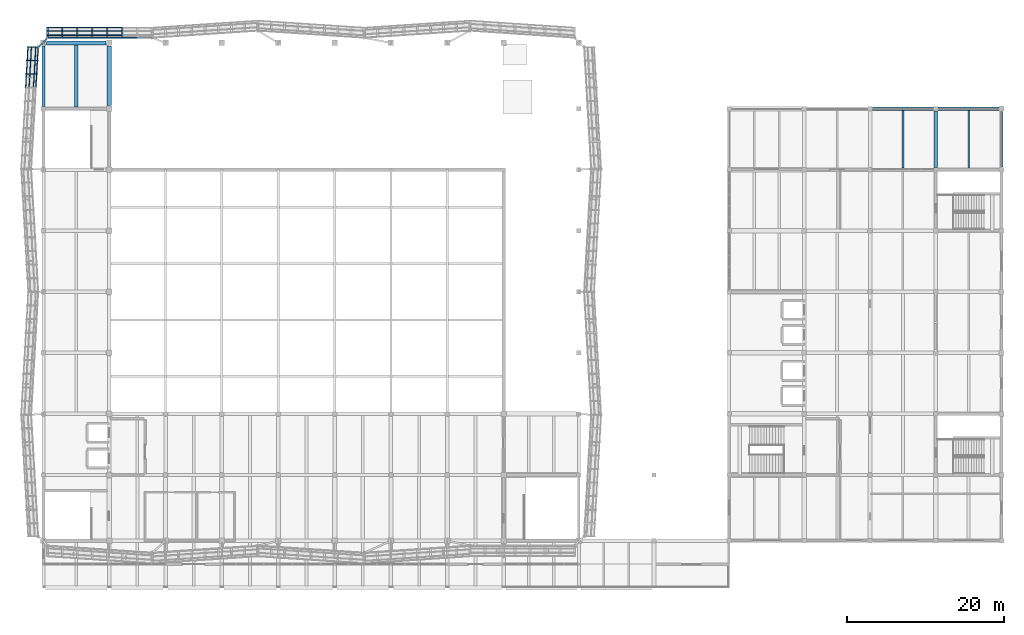
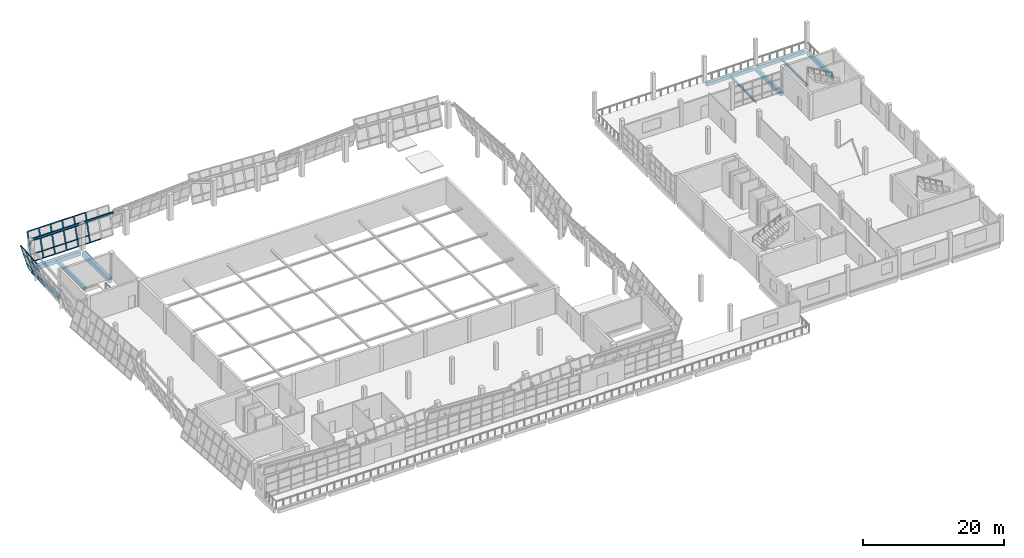
# One storey, part 29 of 67: 42 members, 13 beams, 2 elements without a shape of their own.
"""IFC4 building model written with IfcOpenShell, lengths in metres."""

from ifc_helpers import new_model, si_unit, direction, frame, origin, origin_2d, place, context, subcontext, project, spatial, rectangle, hollow_rectangle, i_section, extrude, material, material_profile, profile_set, type_object, element, aggregate, save


model = new_model("IFC4")

# Units and contexts
model_context = context("Model", 3, precision=1e-05, world=origin(), true_north=direction((0.0, 1.0)))
body_context = subcontext(model_context, "Body", "Model", "MODEL_VIEW")
ifc_project = project(units=[si_unit("LENGTHUNIT", "METRE"), si_unit("AREAUNIT", "SQUARE_METRE"), si_unit("VOLUMEUNIT", "CUBIC_METRE"), si_unit("PLANEANGLEUNIT", "RADIAN"), si_unit("MASSUNIT", "GRAM", prefix="KILO")], contexts=[model_context])

# Site, building, storey
site_placement = place(None, origin())
site = spatial("IfcSite", under=ifc_project, at=site_placement, CompositionType="ELEMENT")
building_placement = place(site_placement, origin())
building = spatial("IfcBuilding", under=site, at=building_placement, Name="Pellamere Symphony Hall", CompositionType="ELEMENT")
storey_placement = place(building_placement, frame((0.0, 0.0, 19.5)))
storey = spatial("IfcBuildingStorey", under=building, at=storey_placement, Name="L04", CompositionType="ELEMENT", Elevation=19.5)

# Curtain wall, members
ifc_material_1 = material(Name="Thermally Broken Anodised Aluminium 6063-T6 Curtain Wall", Category="aluminium")
curtain_wall_type = type_object("IfcCurtainWallType", Name="Curtain Wall CW-01 (Tilted Faceted Crystal Low-Iron Curtain Wall)", PredefinedType="NOTDEFINED", material=ifc_material_1)
curtain_wall_1_placement = place(storey_placement, origin())
curtain_wall_1 = element("IfcCurtainWall", 1, at=curtain_wall_1_placement, inside=storey, type_object=curtain_wall_type, Name="Crystal Faceted Curtain Wall CW-CR14 (L04)", PredefinedType="NOTDEFINED")
ifc_material_2 = material(Name="Anodised Architectural Aluminium 6063-T6", Category="aluminium")
ifc_material_profile_1 = material_profile(ifc_material_2, hollow_rectangle(XDim=0.074951171875, YDim=0.219970703125, WallThickness=0.0048828125, at=origin_2d()), Name="ALU-M75X220X5")
ifc_profile_set_1 = profile_set([ifc_material_profile_1], Name="Anodised Architectural Aluminium 6063-T6")
member_type_1 = type_object("IfcMemberType", Name="Curtain Wall Mullion ML-01 ALU-M75X220X5", PredefinedType="MULLION", material=ifc_profile_set_1)
member_1_placement = place(storey_placement, frame((60.471435546875, 94.25, 0.0), z_axis=(0.0, 0.284024567884, 0.95881700279), x_axis=(0.0, 0.95881700279, -0.284024567884)))
member_1 = element("IfcMember", 2, at=member_1_placement, type_object=member_type_1, Name="CW1-036 crystal mullion 3", PredefinedType="MULLION", context=body_context, shape_type="SweptSolid", body=[
    extrude(hollow_rectangle(XDim=0.074951171875, YDim=0.219970703125, WallThickness=0.0048828125, at=origin_2d()), origin(), (0.0, 0.0, 1.0), 4.693359375),
])
member_2_placement = place(storey_placement, frame((58.55712890625, 94.25, 0.0), z_axis=(0.0, 0.284024567884, 0.95881700279), x_axis=(0.0, 0.95881700279, -0.284024567884)))
member_2 = element("IfcMember", 3, at=member_2_placement, type_object=member_type_1, Name="CW1-036 crystal mullion 4", PredefinedType="MULLION", context=body_context, shape_type="SweptSolid", body=[
    extrude(hollow_rectangle(XDim=0.074951171875, YDim=0.219970703125, WallThickness=0.0048828125, at=origin_2d()), origin(), (0.0, 0.0, 1.0), 4.693359375),
])
member_3_placement = place(storey_placement, frame((56.642822265625, 94.25, 0.0), z_axis=(0.0, 0.284024567884, 0.95881700279), x_axis=(0.0, 0.95881700279, -0.284024567884)))
member_3 = element("IfcMember", 4, at=member_3_placement, type_object=member_type_1, Name="CW1-036 crystal mullion 5", PredefinedType="MULLION", context=body_context, shape_type="SweptSolid", body=[
    extrude(hollow_rectangle(XDim=0.074951171875, YDim=0.219970703125, WallThickness=0.0048828125, at=origin_2d()), origin(), (0.0, 0.0, 1.0), 4.693359375),
])
member_4_placement = place(storey_placement, frame((54.728515625, 94.25, 0.0), z_axis=(0.0, 0.284024567884, 0.95881700279), x_axis=(0.0, 0.95881700279, -0.284024567884)))
member_4 = element("IfcMember", 5, at=member_4_placement, type_object=member_type_1, Name="CW1-036 crystal mullion 6", PredefinedType="MULLION", context=body_context, shape_type="SweptSolid", body=[
    extrude(hollow_rectangle(XDim=0.074951171875, YDim=0.219970703125, WallThickness=0.0048828125, at=origin_2d()), origin(), (0.0, 0.0, 1.0), 4.693359375),
])
member_5_placement = place(storey_placement, frame((52.814208984375, 94.25, 0.0), z_axis=(0.0, 0.284024567884, 0.95881700279), x_axis=(0.0, 0.95881700279, -0.284024567884)))
member_5 = element("IfcMember", 6, at=member_5_placement, type_object=member_type_1, Name="CW1-036 crystal mullion 7", PredefinedType="MULLION", context=body_context, shape_type="SweptSolid", body=[
    extrude(hollow_rectangle(XDim=0.074951171875, YDim=0.219970703125, WallThickness=0.0048828125, at=origin_2d()), origin(), (0.0, 0.0, 1.0), 4.693359375),
])
member_6_placement = place(storey_placement, frame((50.9375, 94.25, 0.0), z_axis=(0.0, 0.284024567884, 0.95881700279), x_axis=(0.0, 0.95881700279, -0.284024567884)))
member_6 = element("IfcMember", 7, at=member_6_placement, type_object=member_type_1, Name="CW1-036 crystal mullion 8", PredefinedType="MULLION", context=body_context, shape_type="SweptSolid", body=[
    extrude(hollow_rectangle(XDim=0.074951171875, YDim=0.219970703125, WallThickness=0.0048828125, at=origin_2d()), origin(), (0.0, 0.0, 1.0), 4.693359375),
])

curtain_wall_2_placement = place(storey_placement, origin())
curtain_wall_2 = element("IfcCurtainWall", 8, at=curtain_wall_2_placement, inside=storey, type_object=curtain_wall_type, Name="Crystal Faceted Curtain Wall CW-CR15 (L04)", PredefinedType="NOTDEFINED")
member_7_placement = place(storey_placement, frame((49.747802734375, 93.0625, 0.0), z_axis=(-0.284024567884, 0.0, 0.95881700279), x_axis=(-0.055224537145, -0.998339941676, -0.01635883099)))
member_7 = element("IfcMember", 9, at=member_7_placement, type_object=member_type_1, Name="CW1-041 crystal mullion 1", PredefinedType="MULLION", context=body_context, shape_type="SweptSolid", body=[
    extrude(hollow_rectangle(XDim=0.074951171875, YDim=0.219970703125, WallThickness=0.0048828125, at=origin_2d()), origin(), (0.0, 0.0, 1.0), 4.693359375),
])
member_8_placement = place(storey_placement, frame((49.64990234375, 91.36669921875, 0.0), z_axis=(-0.284024567884, 0.0, 0.95881700279), x_axis=(-0.055224537145, -0.998339941676, -0.01635883099)))
member_8 = element("IfcMember", 10, at=member_8_placement, type_object=member_type_1, Name="CW1-041 crystal mullion 2", PredefinedType="MULLION", context=body_context, shape_type="SweptSolid", body=[
    extrude(hollow_rectangle(XDim=0.074951171875, YDim=0.219970703125, WallThickness=0.0048828125, at=origin_2d()), origin(), (0.0, 0.0, 1.0), 4.693359375),
])
member_9_placement = place(storey_placement, frame((49.550048828125, 89.63330078125, 0.0), z_axis=(-0.284024567884, 0.0, 0.95881700279), x_axis=(-0.055224537145, -0.998339941676, -0.01635883099)))
member_9 = element("IfcMember", 11, at=member_9_placement, type_object=member_type_1, Name="CW1-041 crystal mullion 3", PredefinedType="MULLION", context=body_context, shape_type="SweptSolid", body=[
    extrude(hollow_rectangle(XDim=0.074951171875, YDim=0.219970703125, WallThickness=0.0048828125, at=origin_2d()), origin(), (0.0, 0.0, 1.0), 4.693359375),
])

# Member
ifc_material_profile_2 = material_profile(ifc_material_2, hollow_rectangle(XDim=0.074951171875, YDim=0.179931640625, WallThickness=0.0048828125, at=origin_2d()), Name="ALU-T75X180X5")
ifc_profile_set_2 = profile_set([ifc_material_profile_2], Name="Anodised Architectural Aluminium 6063-T6")
member_type_2 = type_object("IfcMemberType", Name="Curtain Wall Transom TR-01 ALU-T75X180X5", PredefinedType="USERDEFINED", material=ifc_profile_set_2)
member_10_placement = place(storey_placement, frame((62.34814453125, 94.2607421875, 0.035888671875), z_axis=(-1.0, 0.0, 0.0), x_axis=(0.0, -1.0, 0.0)))
member_10 = element("IfcMember", 12, at=member_10_placement, type_object=member_type_2, Name="CW1-036 crystal transom 2.1", ObjectType="TRANSOM", PredefinedType="USERDEFINED", context=body_context, shape_type="SweptSolid", body=[
    extrude(hollow_rectangle(XDim=0.074951171875, YDim=0.179931640625, WallThickness=0.0048828125, at=origin_2d()), origin(), (0.0, 0.0, 1.0), 1.839111328125),
])

member_11_placement = place(storey_placement, frame((60.433837890625, 94.2607421875, 0.035888671875), z_axis=(-1.0, 0.0, 0.0), x_axis=(0.0, -1.0, 0.0)))
member_11 = element("IfcMember", 13, at=member_11_placement, type_object=member_type_2, Name="CW1-036 crystal transom 3.1", ObjectType="TRANSOM", PredefinedType="USERDEFINED", context=body_context, shape_type="SweptSolid", body=[
    extrude(hollow_rectangle(XDim=0.074951171875, YDim=0.179931640625, WallThickness=0.0048828125, at=origin_2d()), origin(), (0.0, 0.0, 1.0), 1.839111328125),
])

member_12_placement = place(storey_placement, frame((60.433837890625, 94.56982421875, 1.080078125), z_axis=(-1.0, 0.0, 0.0), x_axis=(0.0, -1.0, 0.0)))
member_12 = element("IfcMember", 14, at=member_12_placement, type_object=member_type_2, Name="CW1-036 crystal transom 3.2", ObjectType="TRANSOM", PredefinedType="USERDEFINED", context=body_context, shape_type="SweptSolid", body=[
    extrude(hollow_rectangle(XDim=0.074951171875, YDim=0.179931640625, WallThickness=0.0048828125, at=origin_2d()), origin(), (0.0, 0.0, 1.0), 1.839111328125),
])

member_13_placement = place(storey_placement, frame((60.433837890625, 95.1298828125, 2.969970703125), z_axis=(-1.0, 0.0, 0.0), x_axis=(0.0, -1.0, 0.0)))
member_13 = element("IfcMember", 15, at=member_13_placement, type_object=member_type_2, Name="CW1-036 crystal transom 3.3", ObjectType="TRANSOM", PredefinedType="USERDEFINED", context=body_context, shape_type="SweptSolid", body=[
    extrude(hollow_rectangle(XDim=0.074951171875, YDim=0.179931640625, WallThickness=0.0048828125, at=origin_2d()), origin(), (0.0, 0.0, 1.0), 1.839111328125),
])

member_14_placement = place(storey_placement, frame((60.433837890625, 95.572265625, 4.464111328125), z_axis=(-1.0, 0.0, 0.0), x_axis=(0.0, -1.0, 0.0)))
member_14 = element("IfcMember", 16, at=member_14_placement, type_object=member_type_2, Name="CW1-036 crystal transom 3.4", ObjectType="TRANSOM", PredefinedType="USERDEFINED", context=body_context, shape_type="SweptSolid", body=[
    extrude(hollow_rectangle(XDim=0.074951171875, YDim=0.179931640625, WallThickness=0.0048828125, at=origin_2d()), origin(), (0.0, 0.0, 1.0), 1.839111328125),
])

member_15_placement = place(storey_placement, frame((58.51953125, 94.2607421875, 0.035888671875), z_axis=(-1.0, 0.0, 0.0), x_axis=(0.0, -1.0, 0.0)))
member_15 = element("IfcMember", 17, at=member_15_placement, type_object=member_type_2, Name="CW1-036 crystal transom 4.1", ObjectType="TRANSOM", PredefinedType="USERDEFINED", context=body_context, shape_type="SweptSolid", body=[
    extrude(hollow_rectangle(XDim=0.074951171875, YDim=0.179931640625, WallThickness=0.0048828125, at=origin_2d()), origin(), (0.0, 0.0, 1.0), 1.839111328125),
])

member_16_placement = place(storey_placement, frame((58.51953125, 94.56982421875, 1.080078125), z_axis=(-1.0, 0.0, 0.0), x_axis=(0.0, -1.0, 0.0)))
member_16 = element("IfcMember", 18, at=member_16_placement, type_object=member_type_2, Name="CW1-036 crystal transom 4.2", ObjectType="TRANSOM", PredefinedType="USERDEFINED", context=body_context, shape_type="SweptSolid", body=[
    extrude(hollow_rectangle(XDim=0.074951171875, YDim=0.179931640625, WallThickness=0.0048828125, at=origin_2d()), origin(), (0.0, 0.0, 1.0), 1.839111328125),
])

member_17_placement = place(storey_placement, frame((58.51953125, 95.1298828125, 2.969970703125), z_axis=(-1.0, 0.0, 0.0), x_axis=(0.0, -1.0, 0.0)))
member_17 = element("IfcMember", 19, at=member_17_placement, type_object=member_type_2, Name="CW1-036 crystal transom 4.3", ObjectType="TRANSOM", PredefinedType="USERDEFINED", context=body_context, shape_type="SweptSolid", body=[
    extrude(hollow_rectangle(XDim=0.074951171875, YDim=0.179931640625, WallThickness=0.0048828125, at=origin_2d()), origin(), (0.0, 0.0, 1.0), 1.839111328125),
])

member_18_placement = place(storey_placement, frame((58.51953125, 95.572265625, 4.464111328125), z_axis=(-1.0, 0.0, 0.0), x_axis=(0.0, -1.0, 0.0)))
member_18 = element("IfcMember", 20, at=member_18_placement, type_object=member_type_2, Name="CW1-036 crystal transom 4.4", ObjectType="TRANSOM", PredefinedType="USERDEFINED", context=body_context, shape_type="SweptSolid", body=[
    extrude(hollow_rectangle(XDim=0.074951171875, YDim=0.179931640625, WallThickness=0.0048828125, at=origin_2d()), origin(), (0.0, 0.0, 1.0), 1.839111328125),
])

member_19_placement = place(storey_placement, frame((56.60546875, 94.2607421875, 0.035888671875), z_axis=(-1.0, 0.0, 0.0), x_axis=(0.0, -1.0, 0.0)))
member_19 = element("IfcMember", 21, at=member_19_placement, type_object=member_type_2, Name="CW1-036 crystal transom 5.1", ObjectType="TRANSOM", PredefinedType="USERDEFINED", context=body_context, shape_type="SweptSolid", body=[
    extrude(hollow_rectangle(XDim=0.074951171875, YDim=0.179931640625, WallThickness=0.0048828125, at=origin_2d()), origin(), (0.0, 0.0, 1.0), 1.83935546875),
])

member_20_placement = place(storey_placement, frame((56.60546875, 94.56982421875, 1.080078125), z_axis=(-1.0, 0.0, 0.0), x_axis=(0.0, -1.0, 0.0)))
member_20 = element("IfcMember", 22, at=member_20_placement, type_object=member_type_2, Name="CW1-036 crystal transom 5.2", ObjectType="TRANSOM", PredefinedType="USERDEFINED", context=body_context, shape_type="SweptSolid", body=[
    extrude(hollow_rectangle(XDim=0.074951171875, YDim=0.179931640625, WallThickness=0.0048828125, at=origin_2d()), origin(), (0.0, 0.0, 1.0), 1.83935546875),
])

member_21_placement = place(storey_placement, frame((56.60546875, 95.1298828125, 2.969970703125), z_axis=(-1.0, 0.0, 0.0), x_axis=(0.0, -1.0, 0.0)))
member_21 = element("IfcMember", 23, at=member_21_placement, type_object=member_type_2, Name="CW1-036 crystal transom 5.3", ObjectType="TRANSOM", PredefinedType="USERDEFINED", context=body_context, shape_type="SweptSolid", body=[
    extrude(hollow_rectangle(XDim=0.074951171875, YDim=0.179931640625, WallThickness=0.0048828125, at=origin_2d()), origin(), (0.0, 0.0, 1.0), 1.83935546875),
])

member_22_placement = place(storey_placement, frame((56.60546875, 95.572265625, 4.464111328125), z_axis=(-1.0, 0.0, 0.0), x_axis=(0.0, -1.0, 0.0)))
member_22 = element("IfcMember", 24, at=member_22_placement, type_object=member_type_2, Name="CW1-036 crystal transom 5.4", ObjectType="TRANSOM", PredefinedType="USERDEFINED", context=body_context, shape_type="SweptSolid", body=[
    extrude(hollow_rectangle(XDim=0.074951171875, YDim=0.179931640625, WallThickness=0.0048828125, at=origin_2d()), origin(), (0.0, 0.0, 1.0), 1.83935546875),
])

member_23_placement = place(storey_placement, frame((54.691162109375, 94.2607421875, 0.035888671875), z_axis=(-1.0, 0.0, 0.0), x_axis=(0.0, -1.0, 0.0)))
member_23 = element("IfcMember", 25, at=member_23_placement, type_object=member_type_2, Name="CW1-036 crystal transom 6.1", ObjectType="TRANSOM", PredefinedType="USERDEFINED", context=body_context, shape_type="SweptSolid", body=[
    extrude(hollow_rectangle(XDim=0.074951171875, YDim=0.179931640625, WallThickness=0.0048828125, at=origin_2d()), origin(), (0.0, 0.0, 1.0), 1.83935546875),
])

member_24_placement = place(storey_placement, frame((54.691162109375, 94.56982421875, 1.080078125), z_axis=(-1.0, 0.0, 0.0), x_axis=(0.0, -1.0, 0.0)))
member_24 = element("IfcMember", 26, at=member_24_placement, type_object=member_type_2, Name="CW1-036 crystal transom 6.2", ObjectType="TRANSOM", PredefinedType="USERDEFINED", context=body_context, shape_type="SweptSolid", body=[
    extrude(hollow_rectangle(XDim=0.074951171875, YDim=0.179931640625, WallThickness=0.0048828125, at=origin_2d()), origin(), (0.0, 0.0, 1.0), 1.83935546875),
])

member_25_placement = place(storey_placement, frame((54.691162109375, 95.1298828125, 2.969970703125), z_axis=(-1.0, 0.0, 0.0), x_axis=(0.0, -1.0, 0.0)))
member_25 = element("IfcMember", 27, at=member_25_placement, type_object=member_type_2, Name="CW1-036 crystal transom 6.3", ObjectType="TRANSOM", PredefinedType="USERDEFINED", context=body_context, shape_type="SweptSolid", body=[
    extrude(hollow_rectangle(XDim=0.074951171875, YDim=0.179931640625, WallThickness=0.0048828125, at=origin_2d()), origin(), (0.0, 0.0, 1.0), 1.83935546875),
])

member_26_placement = place(storey_placement, frame((54.691162109375, 95.572265625, 4.464111328125), z_axis=(-1.0, 0.0, 0.0), x_axis=(0.0, -1.0, 0.0)))
member_26 = element("IfcMember", 28, at=member_26_placement, type_object=member_type_2, Name="CW1-036 crystal transom 6.4", ObjectType="TRANSOM", PredefinedType="USERDEFINED", context=body_context, shape_type="SweptSolid", body=[
    extrude(hollow_rectangle(XDim=0.074951171875, YDim=0.179931640625, WallThickness=0.0048828125, at=origin_2d()), origin(), (0.0, 0.0, 1.0), 1.83935546875),
])

member_27_placement = place(storey_placement, frame((52.77685546875, 94.2607421875, 0.035888671875), z_axis=(-1.0, 0.0, 0.0), x_axis=(0.0, -1.0, 0.0)))
member_27 = element("IfcMember", 29, at=member_27_placement, type_object=member_type_2, Name="CW1-036 crystal transom 7.1", ObjectType="TRANSOM", PredefinedType="USERDEFINED", context=body_context, shape_type="SweptSolid", body=[
    extrude(hollow_rectangle(XDim=0.074951171875, YDim=0.179931640625, WallThickness=0.0048828125, at=origin_2d()), origin(), (0.0, 0.0, 1.0), 1.8017578125),
])

member_28_placement = place(storey_placement, frame((52.77685546875, 94.56982421875, 1.080078125), z_axis=(-1.0, 0.0, 0.0), x_axis=(0.0, -1.0, 0.0)))
member_28 = element("IfcMember", 30, at=member_28_placement, type_object=member_type_2, Name="CW1-036 crystal transom 7.2", ObjectType="TRANSOM", PredefinedType="USERDEFINED", context=body_context, shape_type="SweptSolid", body=[
    extrude(hollow_rectangle(XDim=0.074951171875, YDim=0.179931640625, WallThickness=0.0048828125, at=origin_2d()), origin(), (0.0, 0.0, 1.0), 1.8017578125),
])

member_29_placement = place(storey_placement, frame((52.77685546875, 95.1298828125, 2.969970703125), z_axis=(-1.0, 0.0, 0.0), x_axis=(0.0, -1.0, 0.0)))
member_29 = element("IfcMember", 31, at=member_29_placement, type_object=member_type_2, Name="CW1-036 crystal transom 7.3", ObjectType="TRANSOM", PredefinedType="USERDEFINED", context=body_context, shape_type="SweptSolid", body=[
    extrude(hollow_rectangle(XDim=0.074951171875, YDim=0.179931640625, WallThickness=0.0048828125, at=origin_2d()), origin(), (0.0, 0.0, 1.0), 1.8017578125),
])

member_30_placement = place(storey_placement, frame((52.77685546875, 95.572265625, 4.464111328125), z_axis=(-1.0, 0.0, 0.0), x_axis=(0.0, -1.0, 0.0)))
member_30 = element("IfcMember", 32, at=member_30_placement, type_object=member_type_2, Name="CW1-036 crystal transom 7.4", ObjectType="TRANSOM", PredefinedType="USERDEFINED", context=body_context, shape_type="SweptSolid", body=[
    extrude(hollow_rectangle(XDim=0.074951171875, YDim=0.179931640625, WallThickness=0.0048828125, at=origin_2d()), origin(), (0.0, 0.0, 1.0), 1.8017578125),
])

aggregate(curtain_wall_1, [member_1, member_2, member_3, member_4, member_5, member_6, member_10, member_11, member_12, member_13, member_14, member_15, member_16, member_17, member_18, member_19, member_20, member_21, member_22, member_23, member_24, member_25, member_26, member_27, member_28, member_29, member_30])

member_31_placement = place(storey_placement, frame((49.735107421875, 93.025146484375, 0.035888671875), z_axis=(-0.057585007883, -0.99834060664, 0.0), x_axis=(0.99834060664, -0.057585007883, 0.0)))
member_31 = element("IfcMember", 33, at=member_31_placement, type_object=member_type_2, Name="CW1-041 crystal transom 1.1", ObjectType="TRANSOM", PredefinedType="USERDEFINED", context=body_context, shape_type="SweptSolid", body=[
    extrude(hollow_rectangle(XDim=0.074951171875, YDim=0.179931640625, WallThickness=0.0048828125, at=origin_2d()), origin(), (0.0, 0.0, 1.0), 1.623779296875),
])

member_32_placement = place(storey_placement, frame((49.42578125, 93.025146484375, 1.080078125), z_axis=(-0.057585007883, -0.99834060664, 0.0), x_axis=(0.99834060664, -0.057585007883, 0.0)))
member_32 = element("IfcMember", 34, at=member_32_placement, type_object=member_type_2, Name="CW1-041 crystal transom 1.2", ObjectType="TRANSOM", PredefinedType="USERDEFINED", context=body_context, shape_type="SweptSolid", body=[
    extrude(hollow_rectangle(XDim=0.074951171875, YDim=0.179931640625, WallThickness=0.0048828125, at=origin_2d()), origin(), (0.0, 0.0, 1.0), 1.623779296875),
])

member_33_placement = place(storey_placement, frame((48.865966796875, 93.025146484375, 2.969970703125), z_axis=(-0.057585007883, -0.99834060664, 0.0), x_axis=(0.99834060664, -0.057585007883, 0.0)))
member_33 = element("IfcMember", 35, at=member_33_placement, type_object=member_type_2, Name="CW1-041 crystal transom 1.3", ObjectType="TRANSOM", PredefinedType="USERDEFINED", context=body_context, shape_type="SweptSolid", body=[
    extrude(hollow_rectangle(XDim=0.074951171875, YDim=0.179931640625, WallThickness=0.0048828125, at=origin_2d()), origin(), (0.0, 0.0, 1.0), 1.623779296875),
])

member_34_placement = place(storey_placement, frame((48.42333984375, 93.025146484375, 4.464111328125), z_axis=(-0.057585007883, -0.99834060664, 0.0), x_axis=(0.99834060664, -0.057585007883, 0.0)))
member_34 = element("IfcMember", 36, at=member_34_placement, type_object=member_type_2, Name="CW1-041 crystal transom 1.4", ObjectType="TRANSOM", PredefinedType="USERDEFINED", context=body_context, shape_type="SweptSolid", body=[
    extrude(hollow_rectangle(XDim=0.074951171875, YDim=0.179931640625, WallThickness=0.0048828125, at=origin_2d()), origin(), (0.0, 0.0, 1.0), 1.623779296875),
])

member_35_placement = place(storey_placement, frame((49.63720703125, 91.329345703125, 0.035888671875), z_axis=(-0.057602168051, -0.998339616682, 0.0), x_axis=(0.998339616682, -0.057602168051, 0.0)))
member_35 = element("IfcMember", 37, at=member_35_placement, type_object=member_type_2, Name="CW1-041 crystal transom 2.1", ObjectType="TRANSOM", PredefinedType="USERDEFINED", context=body_context, shape_type="SweptSolid", body=[
    extrude(hollow_rectangle(XDim=0.074951171875, YDim=0.179931640625, WallThickness=0.0048828125, at=origin_2d()), origin(), (0.0, 0.0, 1.0), 1.661376953125),
])

member_36_placement = place(storey_placement, frame((49.327880859375, 91.329345703125, 1.080078125), z_axis=(-0.057602168051, -0.998339616682, 0.0), x_axis=(0.998339616682, -0.057602168051, 0.0)))
member_36 = element("IfcMember", 38, at=member_36_placement, type_object=member_type_2, Name="CW1-041 crystal transom 2.2", ObjectType="TRANSOM", PredefinedType="USERDEFINED", context=body_context, shape_type="SweptSolid", body=[
    extrude(hollow_rectangle(XDim=0.074951171875, YDim=0.179931640625, WallThickness=0.0048828125, at=origin_2d()), origin(), (0.0, 0.0, 1.0), 1.661376953125),
])

member_37_placement = place(storey_placement, frame((48.76806640625, 91.329345703125, 2.969970703125), z_axis=(-0.057602168051, -0.998339616682, 0.0), x_axis=(0.998339616682, -0.057602168051, 0.0)))
member_37 = element("IfcMember", 39, at=member_37_placement, type_object=member_type_2, Name="CW1-041 crystal transom 2.3", ObjectType="TRANSOM", PredefinedType="USERDEFINED", context=body_context, shape_type="SweptSolid", body=[
    extrude(hollow_rectangle(XDim=0.074951171875, YDim=0.179931640625, WallThickness=0.0048828125, at=origin_2d()), origin(), (0.0, 0.0, 1.0), 1.661376953125),
])

member_38_placement = place(storey_placement, frame((48.325439453125, 91.329345703125, 4.464111328125), z_axis=(-0.057602168051, -0.998339616682, 0.0), x_axis=(0.998339616682, -0.057602168051, 0.0)))
member_38 = element("IfcMember", 40, at=member_38_placement, type_object=member_type_2, Name="CW1-041 crystal transom 2.4", ObjectType="TRANSOM", PredefinedType="USERDEFINED", context=body_context, shape_type="SweptSolid", body=[
    extrude(hollow_rectangle(XDim=0.074951171875, YDim=0.179931640625, WallThickness=0.0048828125, at=origin_2d()), origin(), (0.0, 0.0, 1.0), 1.661376953125),
])

member_39_placement = place(storey_placement, frame((49.537109375, 89.595947265625, 0.035888671875), z_axis=(-0.057610619545, -0.998339129012, 0.0), x_axis=(0.998339129012, -0.057610619545, 0.0)))
member_39 = element("IfcMember", 41, at=member_39_placement, type_object=member_type_2, Name="CW1-041 crystal transom 3.1", ObjectType="TRANSOM", PredefinedType="USERDEFINED", context=body_context, shape_type="SweptSolid", body=[
    extrude(hollow_rectangle(XDim=0.074951171875, YDim=0.179931640625, WallThickness=0.0048828125, at=origin_2d()), origin(), (0.0, 0.0, 1.0), 1.6611328125),
])

member_40_placement = place(storey_placement, frame((49.22802734375, 89.595947265625, 1.080078125), z_axis=(-0.057610619545, -0.998339129012, 0.0), x_axis=(0.998339129012, -0.057610619545, 0.0)))
member_40 = element("IfcMember", 42, at=member_40_placement, type_object=member_type_2, Name="CW1-041 crystal transom 3.2", ObjectType="TRANSOM", PredefinedType="USERDEFINED", context=body_context, shape_type="SweptSolid", body=[
    extrude(hollow_rectangle(XDim=0.074951171875, YDim=0.179931640625, WallThickness=0.0048828125, at=origin_2d()), origin(), (0.0, 0.0, 1.0), 1.6611328125),
])

member_41_placement = place(storey_placement, frame((48.66796875, 89.595947265625, 2.969970703125), z_axis=(-0.057610619545, -0.998339129012, 0.0), x_axis=(0.998339129012, -0.057610619545, 0.0)))
member_41 = element("IfcMember", 43, at=member_41_placement, type_object=member_type_2, Name="CW1-041 crystal transom 3.3", ObjectType="TRANSOM", PredefinedType="USERDEFINED", context=body_context, shape_type="SweptSolid", body=[
    extrude(hollow_rectangle(XDim=0.074951171875, YDim=0.179931640625, WallThickness=0.0048828125, at=origin_2d()), origin(), (0.0, 0.0, 1.0), 1.6611328125),
])

member_42_placement = place(storey_placement, frame((48.2255859375, 89.595947265625, 4.464111328125), z_axis=(-0.057610619545, -0.998339129012, 0.0), x_axis=(0.998339129012, -0.057610619545, 0.0)))
member_42 = element("IfcMember", 44, at=member_42_placement, type_object=member_type_2, Name="CW1-041 crystal transom 3.4", ObjectType="TRANSOM", PredefinedType="USERDEFINED", context=body_context, shape_type="SweptSolid", body=[
    extrude(hollow_rectangle(XDim=0.074951171875, YDim=0.179931640625, WallThickness=0.0048828125, at=origin_2d()), origin(), (0.0, 0.0, 1.0), 1.6611328125),
])

aggregate(curtain_wall_2, [member_7, member_8, member_9, member_31, member_32, member_33, member_34, member_35, member_36, member_37, member_38, member_39, member_40, member_41, member_42])

# Beams
ifc_material_3 = material(Name="Concrete 40 MPa", Category="concrete")
ifc_material_profile_3 = material_profile(ifc_material_3, rectangle(XDim=0.550048828125, YDim=0.800048828125, at=origin_2d()), Name="RC 550x800")
ifc_profile_set_3 = profile_set([ifc_material_profile_3], Name="Concrete 40 MPa")
beam_type_1 = type_object("IfcBeamType", Name="RC CB-05 550x800", PredefinedType="BEAM", material=ifc_profile_set_3)
beam_1_placement = place(storey_placement, frame((58.800048828125, 85.574951171875, -0.659912109375), z_axis=(0.0, 1.0, 0.0), x_axis=(-1.0, 0.0, 0.0)))
element("IfcBeam", 45, at=beam_1_placement, inside=storey, type_object=beam_type_1, Name="Girder CB-05-Y1885 (L04)", PredefinedType="BEAM", context=body_context, shape_type="SweptSolid", body=[
    extrude(rectangle(XDim=0.550048828125, YDim=0.800048828125, at=origin_2d()), origin(), (0.0, 0.0, 1.0), 7.650146484375),
])
ifc_material_profile_4 = material_profile(ifc_material_3, rectangle(XDim=0.449951171875, YDim=0.64990234375, at=origin_2d()), Name="RC 450x650")
ifc_profile_set_4 = profile_set([ifc_material_profile_4], Name="Concrete 40 MPa")
beam_type_2 = type_object("IfcBeamType", Name="RC CB-08 450x650", PredefinedType="BEAM", material=ifc_profile_set_4)
beam_2_placement = place(storey_placement, frame((164.39990234375, 77.699951171875, -0.5849609375), z_axis=(0.0, 1.0, 0.0), x_axis=(-1.0, 0.0, 0.0)))
element("IfcBeam", 46, at=beam_2_placement, inside=storey, type_object=beam_type_2, Name="Girder CB-08-Y1936 (L04)", PredefinedType="BEAM", context=body_context, shape_type="SweptSolid", body=[
    extrude(rectangle(XDim=0.449951171875, YDim=0.64990234375, at=origin_2d()), origin(), (0.0, 0.0, 1.0), 7.199951171875),
])
ifc_material_profile_5 = material_profile(ifc_material_3, rectangle(XDim=0.39990234375, YDim=0.60009765625, at=origin_2d()), Name="RC 400x600")
ifc_profile_set_5 = profile_set([ifc_material_profile_5], Name="Concrete 40 MPa")
beam_type_3 = type_object("IfcBeamType", Name="RC CB-09 400x600", PredefinedType="BEAM", material=ifc_profile_set_5)
beam_3_placement = place(storey_placement, frame((54.60009765625, 85.419921875, -0.574951171875), z_axis=(0.0, 1.0, 0.0), x_axis=(-1.0, 0.0, 0.0)))
element("IfcBeam", 47, at=beam_3_placement, inside=storey, type_object=beam_type_3, Name="Secondary Floor Beam CB-09-M0611 (L04)", PredefinedType="BEAM", context=body_context, shape_type="SweptSolid", body=[
    extrude(rectangle(XDim=0.39990234375, YDim=0.60009765625, at=origin_2d()), origin(), (0.0, 0.0, 1.0), 7.940185546875),
])
ifc_material_profile_6 = material_profile(ifc_material_3, rectangle(XDim=0.39990234375, YDim=0.699951171875, at=origin_2d()), Name="RC 400x700")
ifc_profile_set_6 = profile_set([ifc_material_profile_6], Name="Concrete 40 MPa")
beam_type_4 = type_object("IfcBeamType", Name="RC CB-13 400x700", PredefinedType="SPANDREL", material=ifc_profile_set_6)
beam_4_placement = place(storey_placement, frame((50.39990234375, 85.5, -0.610107421875), z_axis=(0.0, 1.0, 0.0), x_axis=(-1.0, 0.0, 0.0)))
element("IfcBeam", 48, at=beam_4_placement, inside=storey, type_object=beam_type_4, Name="Girder CB-13-Y1876 (L04)", PredefinedType="SPANDREL", context=body_context, shape_type="SweptSolid", body=[
    extrude(rectangle(XDim=0.39990234375, YDim=0.699951171875, at=origin_2d()), origin(), (0.0, 0.0, 1.0), 7.72509765625),
])
beam_5_placement = place(storey_placement, frame((172.800048828125, 77.739990234375, -0.610107421875), z_axis=(0.0, 1.0, 0.0), x_axis=(-1.0, 0.0, 0.0)))
element("IfcBeam", 49, at=beam_5_placement, inside=storey, type_object=beam_type_4, Name="Girder CB-13-Y1941 (L04)", PredefinedType="SPANDREL", context=body_context, shape_type="SweptSolid", body=[
    extrude(rectangle(XDim=0.39990234375, YDim=0.699951171875, at=origin_2d()), origin(), (0.0, 0.0, 1.0), 7.1201171875),
])
ifc_material_profile_7 = material_profile(ifc_material_3, rectangle(XDim=0.47998046875, YDim=0.719970703125, at=origin_2d()), Name="RC 480x720")
ifc_profile_set_7 = profile_set([ifc_material_profile_7], Name="Concrete 40 MPa")
beam_type_5 = type_object("IfcBeamType", Name="RC CB-14 480x720", PredefinedType="SPANDREL", material=ifc_profile_set_7)
beam_6_placement = place(storey_placement, frame((50.77490234375, 93.60009765625, -0.6201171875), z_axis=(1.0, 0.0, 0.0), x_axis=(0.0, 1.0, 0.0)))
element("IfcBeam", 50, at=beam_6_placement, inside=storey, type_object=beam_type_5, Name="Girder CB-14-X1869 (L04)", PredefinedType="SPANDREL", context=body_context, shape_type="SweptSolid", body=[
    extrude(rectangle(XDim=0.47998046875, YDim=0.719970703125, at=origin_2d()), origin(), (0.0, 0.0, 1.0), 7.650146484375),
])
ifc_material_profile_8 = material_profile(ifc_material_3, rectangle(XDim=0.43994140625, YDim=0.580078125, at=origin_2d()), Name="RC 440x580")
ifc_profile_set_8 = profile_set([ifc_material_profile_8], Name="Concrete 40 MPa")
beam_type_6 = type_object("IfcBeamType", Name="RC CB-20 440x580", PredefinedType="BEAM", material=ifc_profile_set_8)
beam_7_placement = place(storey_placement, frame((156.300048828125, 85.199951171875, -0.550048828125), z_axis=(1.0, 0.0, 0.0), x_axis=(0.0, 1.0, 0.0)))
element("IfcBeam", 51, at=beam_7_placement, inside=storey, type_object=beam_type_6, Name="Girder CB-20-X1867 (L04)", PredefinedType="BEAM", context=body_context, shape_type="SweptSolid", body=[
    extrude(rectangle(XDim=0.43994140625, YDim=0.580078125, at=origin_2d()), origin(), (0.0, 0.0, 1.0), 7.800048828125),
])
beam_8_placement = place(storey_placement, frame((164.699951171875, 85.199951171875, -0.550048828125), z_axis=(1.0, 0.0, 0.0), x_axis=(0.0, 1.0, 0.0)))
element("IfcBeam", 52, at=beam_8_placement, inside=storey, type_object=beam_type_6, Name="Girder CB-20-X1868 (L04)", PredefinedType="BEAM", context=body_context, shape_type="SweptSolid", body=[
    extrude(rectangle(XDim=0.43994140625, YDim=0.580078125, at=origin_2d()), origin(), (0.0, 0.0, 1.0), 7.760009765625),
])
ifc_material_4 = material(Name="Steel CSA G40.21 350W", Category="steel")
ifc_material_profile_9 = material_profile(ifc_material_4, i_section(OverallWidth=0.25390625, OverallDepth=0.35302734375, WebThickness=0.009521484375, FlangeThickness=0.016357421875, at=origin_2d()), Name="W360X91")
ifc_profile_set_9 = profile_set([ifc_material_profile_9], Name="Steel CSA G40.21 350W")
beam_type_7 = type_object("IfcBeamType", Name="Steel Joist SB-20 W360X91", PredefinedType="JOIST", material=ifc_profile_set_9)
beam_9_placement = place(storey_placement, frame((160.199951171875, 77.6201171875, -0.451416015625), z_axis=(0.0, 1.0, 0.0), x_axis=(-1.0, 0.0, 0.0)))
element("IfcBeam", 53, at=beam_9_placement, inside=storey, type_object=beam_type_7, Name="Secondary Floor Beam SB-20-M1910 (L04)", PredefinedType="JOIST", context=body_context, shape_type="SweptSolid", body=[
    extrude(i_section(OverallWidth=0.25390625, OverallDepth=0.35302734375, WebThickness=0.009521484375, FlangeThickness=0.016357421875, at=origin_2d()), origin(), (0.0, 0.0, 1.0), 7.35986328125),
])
ifc_material_profile_10 = material_profile(ifc_material_4, i_section(OverallWidth=0.202880859375, OverallDepth=0.302978515625, WebThickness=0.007568359375, FlangeThickness=0.01318359375, at=origin_2d()), Name="W310X60")
ifc_profile_set_10 = profile_set([ifc_material_profile_10], Name="Steel CSA G40.21 350W")
beam_type_8 = type_object("IfcBeamType", Name="Steel Joist SB-23 W310X60", PredefinedType="JOIST", material=ifc_profile_set_10)
beam_10_placement = place(storey_placement, frame((168.60009765625, 77.6201171875, -0.426513671875), z_axis=(0.0, 1.0, 0.0), x_axis=(-1.0, 0.0, 0.0)))
element("IfcBeam", 54, at=beam_10_placement, inside=storey, type_object=beam_type_8, Name="Secondary Floor Beam SB-23-M2010 (L04)", PredefinedType="JOIST", context=body_context, shape_type="SweptSolid", body=[
    extrude(i_section(OverallWidth=0.202880859375, OverallDepth=0.302978515625, WebThickness=0.007568359375, FlangeThickness=0.01318359375, at=origin_2d()), origin(), (0.0, 0.0, 1.0), 7.35986328125),
])
ifc_material_profile_11 = material_profile(ifc_material_4, hollow_rectangle(XDim=0.203125, YDim=0.3046875, WallThickness=0.0126953125, at=origin_2d()), Name="HSS305X203X13")
ifc_profile_set_11 = profile_set([ifc_material_profile_11], Name="Steel CSA G40.21 350W")
beam_type_9 = type_object("IfcBeamType", Name="Steel Spandrel SB-26 HSS305X203X13", PredefinedType="SPANDREL", material=ifc_profile_set_11)
beam_11_placement = place(storey_placement, frame((64.300048828125, 94.25, 3.93994140625), z_axis=(-1.0, 0.0, 0.0), x_axis=(0.0, -1.0, 0.0)))
element("IfcBeam", 55, at=beam_11_placement, inside=storey, type_object=beam_type_9, Name="Crystal Perimeter Ring Beam CW-CR14 (L04)", PredefinedType="SPANDREL", context=body_context, shape_type="SweptSolid", body=[
    extrude(hollow_rectangle(XDim=0.203125, YDim=0.3046875, WallThickness=0.0126953125, at=origin_2d()), origin(), (0.0, 0.0, 1.0), 13.400146484375),
])
for number, where, z_axis, x_axis, name in (
    (56, (50.39990234375, 93.60009765625, 3.93994140625), (0.609768314627, 0.792579713642, 0.0), (-0.792579713642, 0.609768314627, 0.0), "Crystal Ring Outrigger Bracket 080 (L04)"),
    (57, (50.39990234375, 93.60009765625, 3.93994140625), (-0.792579713642, -0.609768314627, 0.0), (0.609768314627, -0.792579713642, 0.0), "Crystal Ring Outrigger Bracket 094 (L04)"),
):
    element("IfcBeam", number, at=place(storey_placement, frame(where, z_axis=z_axis, x_axis=x_axis)), inside=storey, type_object=beam_type_9, Name=name, PredefinedType="SPANDREL", context=body_context, shape_type="SweptSolid", body=[
        extrude(hollow_rectangle(XDim=0.203125, YDim=0.3046875, WallThickness=0.0126953125, at=origin_2d()), origin(), (0.0, 0.0, 1.0), 0.820068359375),
    ])

save(model, "model.ifc")
